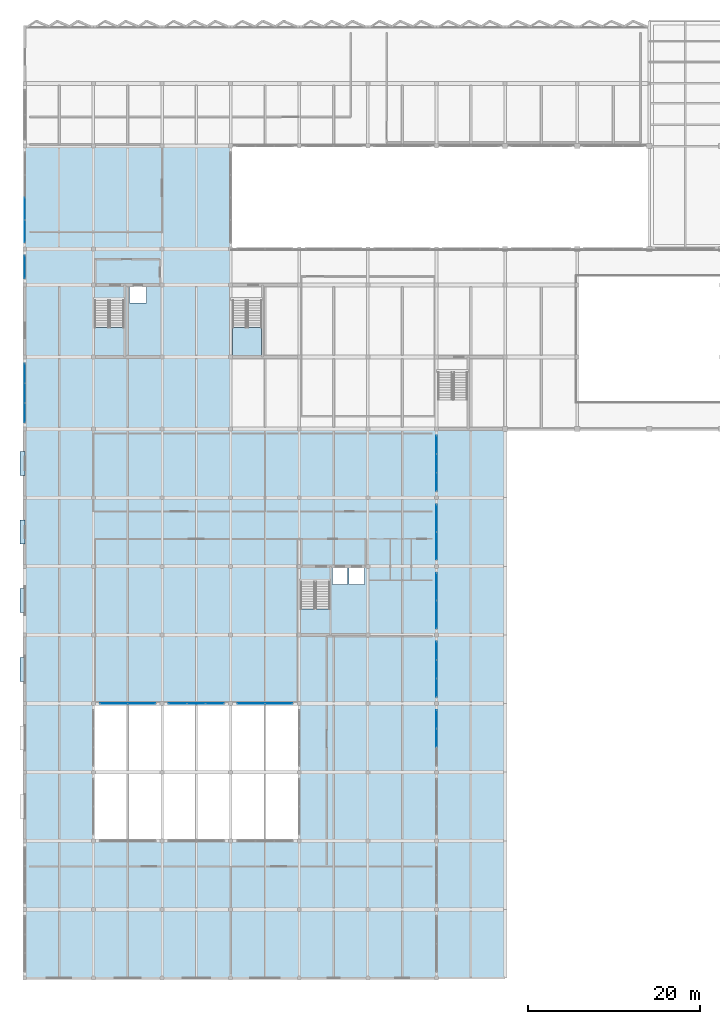
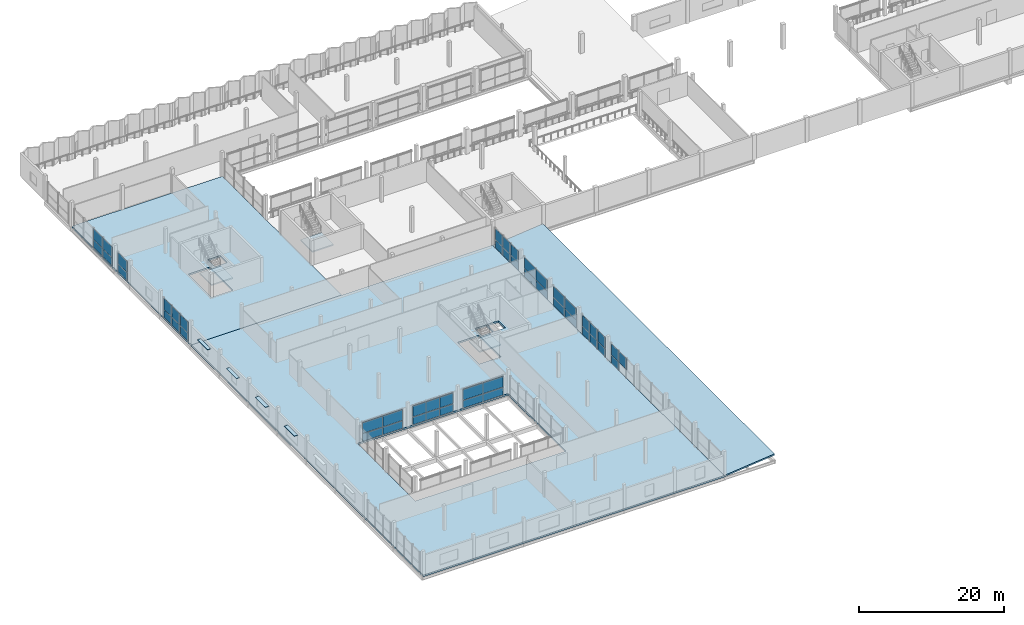
# One storey, part 33 of 53: 53 plates, 6 slabs, 14 elements without a shape of their own.
"""IFC4 building model written with IfcOpenShell, lengths in metres."""

from ifc_helpers import new_model, si_unit, direction, frame, origin, origin_2d, place, context, subcontext, project, spatial, polyline, rectangle, outline, extrude, material, layer, layer_set, type_object, element, aggregate, save


model = new_model("IFC4")

# Units and contexts
model_context = context("Model", 3, precision=1e-05, world=origin(), true_north=direction((0.0, 1.0)))
body_context = subcontext(model_context, "Body", "Model", "MODEL_VIEW")
ifc_project = project(units=[si_unit("LENGTHUNIT", "METRE"), si_unit("AREAUNIT", "SQUARE_METRE"), si_unit("VOLUMEUNIT", "CUBIC_METRE"), si_unit("PLANEANGLEUNIT", "RADIAN"), si_unit("MASSUNIT", "GRAM", prefix="KILO")], contexts=[model_context])

# Site, building, storey
site_placement = place(None, origin())
site = spatial("IfcSite", under=ifc_project, at=site_placement, CompositionType="ELEMENT")
building_placement = place(site_placement, origin())
building = spatial("IfcBuilding", under=site, at=building_placement, Name="Vharandega Faculty of Natural Sciences", CompositionType="ELEMENT")
storey_placement = place(building_placement, frame((0.0, 0.0, 10.199951171875)))
storey = spatial("IfcBuildingStorey", under=building, at=storey_placement, Name="L02", CompositionType="ELEMENT", Elevation=10.199951171875)

# Curtain wall, plates
ifc_material_1 = material(Name="Aluminium and solar-control glass curtain wall", Category="aluminium")
curtain_wall_type_1 = type_object("IfcCurtainWallType", Name="Unitised Curtain Wall System CW-25", PredefinedType="NOTDEFINED", material=ifc_material_1)
curtain_wall_1_placement = place(storey_placement, origin())
curtain_wall_1 = element("IfcCurtainWall", 1, at=curtain_wall_1_placement, inside=storey, type_object=curtain_wall_type_1, Name="Curtain Wall CW-L02-052", PredefinedType="NOTDEFINED")
ifc_material_2 = material(Name="Double-glazed low-E solar glass", Category="glass")
ifc_layer_1 = layer(ifc_material_2, 0.028076171875, Name="Double-glazed low-E solar glass")
ifc_layer_set_1 = layer_set([ifc_layer_1], Name="Double-glazed low-E solar glass")
plate_type_1 = type_object("IfcPlateType", Name="CW Solar Vision Panel 28mm", PredefinedType="CURTAIN_PANEL", material=ifc_layer_set_1)
plate_1_placement = place(storey_placement, frame((0.0, 65.908447265625, 0.06005859375), z_axis=(0.0, 0.0, 1.0), x_axis=(0.0, 1.0, 0.0)))
plate_1 = element("IfcPlate", 2, at=plate_1_placement, type_object=plate_type_1, Name="CW-25 panel 1.1", PredefinedType="CURTAIN_PANEL", context=body_context, shape_type="SweptSolid", body=[
    extrude(rectangle(XDim=2.216552734375, YDim=0.028076171875, at=origin_2d()), origin(), (0.0, 0.0, 1.0), 1.3212890625),
])
plate_2_placement = place(storey_placement, frame((0.0, 65.908447265625, 1.441162109375), z_axis=(0.0, 0.0, 1.0), x_axis=(0.0, 1.0, 0.0)))
plate_2 = element("IfcPlate", 3, at=plate_2_placement, type_object=plate_type_1, Name="CW-25 panel 1.2", PredefinedType="CURTAIN_PANEL", context=body_context, shape_type="SweptSolid", body=[
    extrude(rectangle(XDim=2.216552734375, YDim=0.028076171875, at=origin_2d()), origin(), (0.0, 0.0, 1.0), 1.85888671875),
])
plate_3_placement = place(storey_placement, frame((0.0, 68.199951171875, 0.06005859375), z_axis=(0.0, 0.0, 1.0), x_axis=(0.0, 1.0, 0.0)))
plate_3 = element("IfcPlate", 4, at=plate_3_placement, type_object=plate_type_1, Name="CW-25 panel 2.1", PredefinedType="CURTAIN_PANEL", context=body_context, shape_type="SweptSolid", body=[
    extrude(rectangle(XDim=2.24658203125, YDim=0.028076171875, at=origin_2d()), origin(), (0.0, 0.0, 1.0), 1.3212890625),
])
plate_4_placement = place(storey_placement, frame((0.0, 68.199951171875, 1.441162109375), z_axis=(0.0, 0.0, 1.0), x_axis=(0.0, 1.0, 0.0)))
plate_4 = element("IfcPlate", 5, at=plate_4_placement, type_object=plate_type_1, Name="CW-25 panel 2.2", PredefinedType="CURTAIN_PANEL", context=body_context, shape_type="SweptSolid", body=[
    extrude(rectangle(XDim=2.24658203125, YDim=0.028076171875, at=origin_2d()), origin(), (0.0, 0.0, 1.0), 1.85888671875),
])
plate_5_placement = place(storey_placement, frame((0.0, 70.49169921875, 0.06005859375), z_axis=(0.0, 0.0, 1.0), x_axis=(0.0, 1.0, 0.0)))
plate_5 = element("IfcPlate", 6, at=plate_5_placement, type_object=plate_type_1, Name="CW-25 panel 3.1", PredefinedType="CURTAIN_PANEL", context=body_context, shape_type="SweptSolid", body=[
    extrude(rectangle(XDim=2.216552734375, YDim=0.028076171875, at=origin_2d()), origin(), (0.0, 0.0, 1.0), 1.3212890625),
])
plate_6_placement = place(storey_placement, frame((0.0, 70.49169921875, 1.441162109375), z_axis=(0.0, 0.0, 1.0), x_axis=(0.0, 1.0, 0.0)))
plate_6 = element("IfcPlate", 7, at=plate_6_placement, type_object=plate_type_1, Name="CW-25 panel 3.2", PredefinedType="CURTAIN_PANEL", context=body_context, shape_type="SweptSolid", body=[
    extrude(rectangle(XDim=2.216552734375, YDim=0.028076171875, at=origin_2d()), origin(), (0.0, 0.0, 1.0), 1.85888671875),
])
aggregate(curtain_wall_1, [plate_1, plate_2, plate_3, plate_4, plate_5, plate_6])

ifc_material_3 = material(Name="Aluminium and solar-control glass curtain wall", Category="aluminium")
curtain_wall_type_2 = type_object("IfcCurtainWallType", Name="Unitised Curtain Wall System CW-26", PredefinedType="NOTDEFINED", material=ifc_material_3)
curtain_wall_2_placement = place(storey_placement, origin())
curtain_wall_2 = element("IfcCurtainWall", 8, at=curtain_wall_2_placement, inside=storey, type_object=curtain_wall_type_2, Name="Curtain Wall CW-L02-053", PredefinedType="NOTDEFINED")
plate_7_placement = place(storey_placement, frame((0.0, 82.89990234375, 0.06005859375), z_axis=(0.0, 0.0, 1.0), x_axis=(0.0, 1.0, 0.0)))
plate_7 = element("IfcPlate", 9, at=plate_7_placement, type_object=plate_type_1, Name="CW-26 panel 1.1", PredefinedType="CURTAIN_PANEL", context=body_context, shape_type="SweptSolid", body=[
    extrude(rectangle(XDim=2.60009765625, YDim=0.028076171875, at=origin_2d()), origin(), (0.0, 0.0, 1.0), 1.3212890625),
])
plate_8_placement = place(storey_placement, frame((0.0, 82.89990234375, 1.441162109375), z_axis=(0.0, 0.0, 1.0), x_axis=(0.0, 1.0, 0.0)))
plate_8 = element("IfcPlate", 10, at=plate_8_placement, type_object=plate_type_1, Name="CW-26 panel 1.2", PredefinedType="CURTAIN_PANEL", context=body_context, shape_type="SweptSolid", body=[
    extrude(rectangle(XDim=2.60009765625, YDim=0.028076171875, at=origin_2d()), origin(), (0.0, 0.0, 1.0), 1.85888671875),
])
aggregate(curtain_wall_2, [plate_7, plate_8])

ifc_material_4 = material(Name="Aluminium and solar-control glass curtain wall", Category="aluminium")
curtain_wall_type_3 = type_object("IfcCurtainWallType", Name="Unitised Curtain Wall System CW-27", PredefinedType="NOTDEFINED", material=ifc_material_4)
curtain_wall_3_placement = place(storey_placement, origin())
curtain_wall_3 = element("IfcCurtainWall", 11, at=curtain_wall_3_placement, inside=storey, type_object=curtain_wall_type_3, Name="Curtain Wall CW-L02-054", PredefinedType="NOTDEFINED")
plate_9_placement = place(storey_placement, frame((0.0, 87.070068359375, 0.06005859375), z_axis=(0.0, 0.0, 1.0), x_axis=(0.0, 1.0, 0.0)))
plate_9 = element("IfcPlate", 12, at=plate_9_placement, type_object=plate_type_1, Name="CW-27 panel 1.1", PredefinedType="CURTAIN_PANEL", context=body_context, shape_type="SweptSolid", body=[
    extrude(rectangle(XDim=2.5400390625, YDim=0.028076171875, at=origin_2d()), origin(), (0.0, 0.0, 1.0), 1.30029296875),
])
plate_10_placement = place(storey_placement, frame((0.0, 87.070068359375, 1.42041015625), z_axis=(0.0, 0.0, 1.0), x_axis=(0.0, 1.0, 0.0)))
plate_10 = element("IfcPlate", 13, at=plate_10_placement, type_object=plate_type_1, Name="CW-27 panel 1.2", PredefinedType="CURTAIN_PANEL", context=body_context, shape_type="SweptSolid", body=[
    extrude(rectangle(XDim=2.5400390625, YDim=0.028076171875, at=origin_2d()), origin(), (0.0, 0.0, 1.0), 1.829833984375),
])
plate_11_placement = place(storey_placement, frame((0.0, 89.68505859375, 0.06005859375), z_axis=(0.0, 0.0, 1.0), x_axis=(0.0, 1.0, 0.0)))
plate_11 = element("IfcPlate", 14, at=plate_11_placement, type_object=plate_type_1, Name="CW-27 panel 2.1", PredefinedType="CURTAIN_PANEL", context=body_context, shape_type="SweptSolid", body=[
    extrude(rectangle(XDim=2.570068359375, YDim=0.028076171875, at=origin_2d()), origin(), (0.0, 0.0, 1.0), 1.30029296875),
])
plate_12_placement = place(storey_placement, frame((0.0, 89.68505859375, 1.42041015625), z_axis=(0.0, 0.0, 1.0), x_axis=(0.0, 1.0, 0.0)))
plate_12 = element("IfcPlate", 15, at=plate_12_placement, type_object=plate_type_1, Name="CW-27 panel 2.2", PredefinedType="CURTAIN_PANEL", context=body_context, shape_type="SweptSolid", body=[
    extrude(rectangle(XDim=2.570068359375, YDim=0.028076171875, at=origin_2d()), origin(), (0.0, 0.0, 1.0), 1.829833984375),
])
aggregate(curtain_wall_3, [plate_9, plate_10, plate_11, plate_12])

curtain_wall_4_placement = place(storey_placement, origin())
curtain_wall_4 = element("IfcCurtainWall", 16, at=curtain_wall_4_placement, inside=storey, type_object=curtain_wall_type_1, Name="Curtain Wall CW-L02-136", PredefinedType="NOTDEFINED")
plate_13_placement = place(storey_placement, frame((48.0, 28.0, 1.441162109375), z_axis=(0.0, 0.0, 1.0), x_axis=(0.0, 1.0, 0.0)))
plate_13 = element("IfcPlate", 17, at=plate_13_placement, type_object=plate_type_1, Name="CW-25 panel 2.2", PredefinedType="CURTAIN_PANEL", context=body_context, shape_type="SweptSolid", body=[
    extrude(rectangle(XDim=2.11328125, YDim=0.028076171875, at=origin_2d()), origin(), (0.0, 0.0, 1.0), 1.85888671875),
])
plate_14_placement = place(storey_placement, frame((48.0, 30.158447265625, 0.06005859375), z_axis=(0.0, 0.0, 1.0), x_axis=(0.0, 1.0, 0.0)))
plate_14 = element("IfcPlate", 18, at=plate_14_placement, type_object=plate_type_1, Name="CW-25 panel 3.1", PredefinedType="CURTAIN_PANEL", context=body_context, shape_type="SweptSolid", body=[
    extrude(rectangle(XDim=2.083251953125, YDim=0.028076171875, at=origin_2d()), origin(), (0.0, 0.0, 1.0), 1.3212890625),
])
plate_15_placement = place(storey_placement, frame((48.0, 30.158447265625, 1.441162109375), z_axis=(0.0, 0.0, 1.0), x_axis=(0.0, 1.0, 0.0)))
plate_15 = element("IfcPlate", 19, at=plate_15_placement, type_object=plate_type_1, Name="CW-25 panel 3.2", PredefinedType="CURTAIN_PANEL", context=body_context, shape_type="SweptSolid", body=[
    extrude(rectangle(XDim=2.083251953125, YDim=0.028076171875, at=origin_2d()), origin(), (0.0, 0.0, 1.0), 1.85888671875),
])
aggregate(curtain_wall_4, [plate_13, plate_14, plate_15])

curtain_wall_5_placement = place(storey_placement, origin())
curtain_wall_5 = element("IfcCurtainWall", 20, at=curtain_wall_5_placement, inside=storey, type_object=curtain_wall_type_2, Name="Curtain Wall CW-L02-137", PredefinedType="NOTDEFINED")
plate_16_placement = place(storey_placement, frame((48.0, 33.841552734375, 0.06005859375), z_axis=(0.0, 0.0, 1.0), x_axis=(0.0, 1.0, 0.0)))
plate_16 = element("IfcPlate", 21, at=plate_16_placement, type_object=plate_type_1, Name="CW-26 panel 1.1", PredefinedType="CURTAIN_PANEL", context=body_context, shape_type="SweptSolid", body=[
    extrude(rectangle(XDim=2.083251953125, YDim=0.028076171875, at=origin_2d()), origin(), (0.0, 0.0, 1.0), 1.3212890625),
])
plate_17_placement = place(storey_placement, frame((48.0, 33.841552734375, 1.441162109375), z_axis=(0.0, 0.0, 1.0), x_axis=(0.0, 1.0, 0.0)))
plate_17 = element("IfcPlate", 22, at=plate_17_placement, type_object=plate_type_1, Name="CW-26 panel 1.2", PredefinedType="CURTAIN_PANEL", context=body_context, shape_type="SweptSolid", body=[
    extrude(rectangle(XDim=2.083251953125, YDim=0.028076171875, at=origin_2d()), origin(), (0.0, 0.0, 1.0), 1.85888671875),
])
plate_18_placement = place(storey_placement, frame((48.0, 36.0, 0.06005859375), z_axis=(0.0, 0.0, 1.0), x_axis=(0.0, 1.0, 0.0)))
plate_18 = element("IfcPlate", 23, at=plate_18_placement, type_object=plate_type_1, Name="CW-26 panel 2.1", PredefinedType="CURTAIN_PANEL", context=body_context, shape_type="SweptSolid", body=[
    extrude(rectangle(XDim=2.11328125, YDim=0.028076171875, at=origin_2d()), origin(), (0.0, 0.0, 1.0), 1.3212890625),
])
plate_19_placement = place(storey_placement, frame((48.0, 36.0, 1.441162109375), z_axis=(0.0, 0.0, 1.0), x_axis=(0.0, 1.0, 0.0)))
plate_19 = element("IfcPlate", 24, at=plate_19_placement, type_object=plate_type_1, Name="CW-26 panel 2.2", PredefinedType="CURTAIN_PANEL", context=body_context, shape_type="SweptSolid", body=[
    extrude(rectangle(XDim=2.11328125, YDim=0.028076171875, at=origin_2d()), origin(), (0.0, 0.0, 1.0), 1.85888671875),
])
plate_20_placement = place(storey_placement, frame((48.0, 38.158447265625, 0.06005859375), z_axis=(0.0, 0.0, 1.0), x_axis=(0.0, 1.0, 0.0)))
plate_20 = element("IfcPlate", 25, at=plate_20_placement, type_object=plate_type_1, Name="CW-26 panel 3.1", PredefinedType="CURTAIN_PANEL", context=body_context, shape_type="SweptSolid", body=[
    extrude(rectangle(XDim=2.083251953125, YDim=0.028076171875, at=origin_2d()), origin(), (0.0, 0.0, 1.0), 1.3212890625),
])
plate_21_placement = place(storey_placement, frame((48.0, 38.158447265625, 1.441162109375), z_axis=(0.0, 0.0, 1.0), x_axis=(0.0, 1.0, 0.0)))
plate_21 = element("IfcPlate", 26, at=plate_21_placement, type_object=plate_type_1, Name="CW-26 panel 3.2", PredefinedType="CURTAIN_PANEL", context=body_context, shape_type="SweptSolid", body=[
    extrude(rectangle(XDim=2.083251953125, YDim=0.028076171875, at=origin_2d()), origin(), (0.0, 0.0, 1.0), 1.85888671875),
])
aggregate(curtain_wall_5, [plate_16, plate_17, plate_18, plate_19, plate_20, plate_21])

curtain_wall_6_placement = place(storey_placement, origin())
curtain_wall_6 = element("IfcCurtainWall", 27, at=curtain_wall_6_placement, inside=storey, type_object=curtain_wall_type_3, Name="Curtain Wall CW-L02-138", PredefinedType="NOTDEFINED")
plate_22_placement = place(storey_placement, frame((48.0, 42.385009765625, 0.06005859375), z_axis=(0.0, 0.0, 1.0), x_axis=(0.0, 1.0, 0.0)))
plate_22 = element("IfcPlate", 28, at=plate_22_placement, type_object=plate_type_1, Name="CW-27 panel 1.1", PredefinedType="CURTAIN_PANEL", context=body_context, shape_type="SweptSolid", body=[
    extrude(rectangle(XDim=3.169921875, YDim=0.028076171875, at=origin_2d()), origin(), (0.0, 0.0, 1.0), 1.3212890625),
])
plate_23_placement = place(storey_placement, frame((48.0, 42.385009765625, 1.441162109375), z_axis=(0.0, 0.0, 1.0), x_axis=(0.0, 1.0, 0.0)))
plate_23 = element("IfcPlate", 29, at=plate_23_placement, type_object=plate_type_1, Name="CW-27 panel 1.2", PredefinedType="CURTAIN_PANEL", context=body_context, shape_type="SweptSolid", body=[
    extrude(rectangle(XDim=3.169921875, YDim=0.028076171875, at=origin_2d()), origin(), (0.0, 0.0, 1.0), 1.85888671875),
])
plate_24_placement = place(storey_placement, frame((48.0, 45.614990234375, 0.06005859375), z_axis=(0.0, 0.0, 1.0), x_axis=(0.0, 1.0, 0.0)))
plate_24 = element("IfcPlate", 30, at=plate_24_placement, type_object=plate_type_1, Name="CW-27 panel 2.1", PredefinedType="CURTAIN_PANEL", context=body_context, shape_type="SweptSolid", body=[
    extrude(rectangle(XDim=3.169921875, YDim=0.028076171875, at=origin_2d()), origin(), (0.0, 0.0, 1.0), 1.3212890625),
])
plate_25_placement = place(storey_placement, frame((48.0, 45.614990234375, 1.441162109375), z_axis=(0.0, 0.0, 1.0), x_axis=(0.0, 1.0, 0.0)))
plate_25 = element("IfcPlate", 31, at=plate_25_placement, type_object=plate_type_1, Name="CW-27 panel 2.2", PredefinedType="CURTAIN_PANEL", context=body_context, shape_type="SweptSolid", body=[
    extrude(rectangle(XDim=3.169921875, YDim=0.028076171875, at=origin_2d()), origin(), (0.0, 0.0, 1.0), 1.85888671875),
])
aggregate(curtain_wall_6, [plate_22, plate_23, plate_24, plate_25])

ifc_material_5 = material(Name="Aluminium and solar-control glass curtain wall", Category="aluminium")
curtain_wall_type_4 = type_object("IfcCurtainWallType", Name="Unitised Curtain Wall System CW-28", PredefinedType="NOTDEFINED", material=ifc_material_5)
curtain_wall_7_placement = place(storey_placement, origin())
curtain_wall_7 = element("IfcCurtainWall", 32, at=curtain_wall_7_placement, inside=storey, type_object=curtain_wall_type_4, Name="Curtain Wall CW-L02-139", PredefinedType="NOTDEFINED")
plate_26_placement = place(storey_placement, frame((48.0, 50.385009765625, 0.06005859375), z_axis=(0.0, 0.0, 1.0), x_axis=(0.0, 1.0, 0.0)))
plate_26 = element("IfcPlate", 33, at=plate_26_placement, type_object=plate_type_1, Name="CW-28 panel 1.1", PredefinedType="CURTAIN_PANEL", context=body_context, shape_type="SweptSolid", body=[
    extrude(rectangle(XDim=3.169921875, YDim=0.028076171875, at=origin_2d()), origin(), (0.0, 0.0, 1.0), 1.3212890625),
])
plate_27_placement = place(storey_placement, frame((48.0, 50.385009765625, 1.441162109375), z_axis=(0.0, 0.0, 1.0), x_axis=(0.0, 1.0, 0.0)))
plate_27 = element("IfcPlate", 34, at=plate_27_placement, type_object=plate_type_1, Name="CW-28 panel 1.2", PredefinedType="CURTAIN_PANEL", context=body_context, shape_type="SweptSolid", body=[
    extrude(rectangle(XDim=3.169921875, YDim=0.028076171875, at=origin_2d()), origin(), (0.0, 0.0, 1.0), 1.85888671875),
])
plate_28_placement = place(storey_placement, frame((48.0, 53.614990234375, 0.06005859375), z_axis=(0.0, 0.0, 1.0), x_axis=(0.0, 1.0, 0.0)))
plate_28 = element("IfcPlate", 35, at=plate_28_placement, type_object=plate_type_1, Name="CW-28 panel 2.1", PredefinedType="CURTAIN_PANEL", context=body_context, shape_type="SweptSolid", body=[
    extrude(rectangle(XDim=3.169921875, YDim=0.028076171875, at=origin_2d()), origin(), (0.0, 0.0, 1.0), 1.3212890625),
])
plate_29_placement = place(storey_placement, frame((48.0, 53.614990234375, 1.441162109375), z_axis=(0.0, 0.0, 1.0), x_axis=(0.0, 1.0, 0.0)))
plate_29 = element("IfcPlate", 36, at=plate_29_placement, type_object=plate_type_1, Name="CW-28 panel 2.2", PredefinedType="CURTAIN_PANEL", context=body_context, shape_type="SweptSolid", body=[
    extrude(rectangle(XDim=3.169921875, YDim=0.028076171875, at=origin_2d()), origin(), (0.0, 0.0, 1.0), 1.85888671875),
])
aggregate(curtain_wall_7, [plate_26, plate_27, plate_28, plate_29])

ifc_material_6 = material(Name="Aluminium and solar-control glass curtain wall", Category="aluminium")
curtain_wall_type_5 = type_object("IfcCurtainWallType", Name="Unitised Curtain Wall System CW-01", PredefinedType="NOTDEFINED", material=ifc_material_6)
curtain_wall_8_placement = place(storey_placement, origin())
curtain_wall_8 = element("IfcCurtainWall", 37, at=curtain_wall_8_placement, inside=storey, type_object=curtain_wall_type_5, Name="Curtain Wall CW-L02-140", PredefinedType="NOTDEFINED")
plate_30_placement = place(storey_placement, frame((48.0, 57.841552734375, 0.06005859375), z_axis=(0.0, 0.0, 1.0), x_axis=(0.0, 1.0, 0.0)))
plate_30 = element("IfcPlate", 38, at=plate_30_placement, type_object=plate_type_1, Name="CW-01 panel 1.1", PredefinedType="CURTAIN_PANEL", context=body_context, shape_type="SweptSolid", body=[
    extrude(rectangle(XDim=2.083251953125, YDim=0.028076171875, at=origin_2d()), origin(), (0.0, 0.0, 1.0), 1.3212890625),
])
plate_31_placement = place(storey_placement, frame((48.0, 57.841552734375, 1.441162109375), z_axis=(0.0, 0.0, 1.0), x_axis=(0.0, 1.0, 0.0)))
plate_31 = element("IfcPlate", 39, at=plate_31_placement, type_object=plate_type_1, Name="CW-01 panel 1.2", PredefinedType="CURTAIN_PANEL", context=body_context, shape_type="SweptSolid", body=[
    extrude(rectangle(XDim=2.083251953125, YDim=0.028076171875, at=origin_2d()), origin(), (0.0, 0.0, 1.0), 1.85888671875),
])
plate_32_placement = place(storey_placement, frame((48.0, 60.0, 0.06005859375), z_axis=(0.0, 0.0, 1.0), x_axis=(0.0, 1.0, 0.0)))
plate_32 = element("IfcPlate", 40, at=plate_32_placement, type_object=plate_type_1, Name="CW-01 panel 2.1", PredefinedType="CURTAIN_PANEL", context=body_context, shape_type="SweptSolid", body=[
    extrude(rectangle(XDim=2.11328125, YDim=0.028076171875, at=origin_2d()), origin(), (0.0, 0.0, 1.0), 1.3212890625),
])
plate_33_placement = place(storey_placement, frame((48.0, 60.0, 1.441162109375), z_axis=(0.0, 0.0, 1.0), x_axis=(0.0, 1.0, 0.0)))
plate_33 = element("IfcPlate", 41, at=plate_33_placement, type_object=plate_type_1, Name="CW-01 panel 2.2", PredefinedType="CURTAIN_PANEL", context=body_context, shape_type="SweptSolid", body=[
    extrude(rectangle(XDim=2.11328125, YDim=0.028076171875, at=origin_2d()), origin(), (0.0, 0.0, 1.0), 1.85888671875),
])
plate_34_placement = place(storey_placement, frame((48.0, 62.158447265625, 0.06005859375), z_axis=(0.0, 0.0, 1.0), x_axis=(0.0, 1.0, 0.0)))
plate_34 = element("IfcPlate", 42, at=plate_34_placement, type_object=plate_type_1, Name="CW-01 panel 3.1", PredefinedType="CURTAIN_PANEL", context=body_context, shape_type="SweptSolid", body=[
    extrude(rectangle(XDim=2.083251953125, YDim=0.028076171875, at=origin_2d()), origin(), (0.0, 0.0, 1.0), 1.3212890625),
])
plate_35_placement = place(storey_placement, frame((48.0, 62.158447265625, 1.441162109375), z_axis=(0.0, 0.0, 1.0), x_axis=(0.0, 1.0, 0.0)))
plate_35 = element("IfcPlate", 43, at=plate_35_placement, type_object=plate_type_1, Name="CW-01 panel 3.2", PredefinedType="CURTAIN_PANEL", context=body_context, shape_type="SweptSolid", body=[
    extrude(rectangle(XDim=2.083251953125, YDim=0.028076171875, at=origin_2d()), origin(), (0.0, 0.0, 1.0), 1.85888671875),
])
aggregate(curtain_wall_8, [plate_30, plate_31, plate_32, plate_33, plate_34, plate_35])

ifc_material_7 = material(Name="Aluminium and solar-control glass curtain wall", Category="aluminium")
curtain_wall_type_6 = type_object("IfcCurtainWallType", Name="Unitised Curtain Wall System CW-03", PredefinedType="NOTDEFINED", material=ifc_material_7)
curtain_wall_9_placement = place(storey_placement, origin())
curtain_wall_9 = element("IfcCurtainWall", 44, at=curtain_wall_9_placement, inside=storey, type_object=curtain_wall_type_6, Name="Curtain Wall CW-L02-142", PredefinedType="NOTDEFINED")
plate_36_placement = place(storey_placement, frame((10.385009765625, 32.0, 0.06005859375), z_axis=(0.0, 0.0, 1.0), x_axis=(1.0, 0.0, 0.0)))
plate_36 = element("IfcPlate", 45, at=plate_36_placement, type_object=plate_type_1, Name="CW-03 panel 1.1", PredefinedType="CURTAIN_PANEL", context=body_context, shape_type="SweptSolid", body=[
    extrude(rectangle(XDim=3.169921875, YDim=0.028076171875, at=origin_2d()), origin(), (0.0, 0.0, 1.0), 1.28759765625),
])
plate_37_placement = place(storey_placement, frame((10.385009765625, 32.0, 1.40771484375), z_axis=(0.0, 0.0, 1.0), x_axis=(1.0, 0.0, 0.0)))
plate_37 = element("IfcPlate", 46, at=plate_37_placement, type_object=plate_type_1, Name="CW-03 panel 1.2", PredefinedType="CURTAIN_PANEL", context=body_context, shape_type="SweptSolid", body=[
    extrude(rectangle(XDim=3.169921875, YDim=0.028076171875, at=origin_2d()), origin(), (0.0, 0.0, 1.0), 1.8125),
])
plate_38_placement = place(storey_placement, frame((13.614990234375, 32.0, 0.06005859375), z_axis=(0.0, 0.0, 1.0), x_axis=(1.0, 0.0, 0.0)))
plate_38 = element("IfcPlate", 47, at=plate_38_placement, type_object=plate_type_1, Name="CW-03 panel 2.1", PredefinedType="CURTAIN_PANEL", context=body_context, shape_type="SweptSolid", body=[
    extrude(rectangle(XDim=3.169921875, YDim=0.028076171875, at=origin_2d()), origin(), (0.0, 0.0, 1.0), 1.28759765625),
])
plate_39_placement = place(storey_placement, frame((13.614990234375, 32.0, 1.40771484375), z_axis=(0.0, 0.0, 1.0), x_axis=(1.0, 0.0, 0.0)))
plate_39 = element("IfcPlate", 48, at=plate_39_placement, type_object=plate_type_1, Name="CW-03 panel 2.2", PredefinedType="CURTAIN_PANEL", context=body_context, shape_type="SweptSolid", body=[
    extrude(rectangle(XDim=3.169921875, YDim=0.028076171875, at=origin_2d()), origin(), (0.0, 0.0, 1.0), 1.8125),
])
aggregate(curtain_wall_9, [plate_36, plate_37, plate_38, plate_39])

ifc_material_8 = material(Name="Aluminium and solar-control glass curtain wall", Category="aluminium")
curtain_wall_type_7 = type_object("IfcCurtainWallType", Name="Unitised Curtain Wall System CW-05", PredefinedType="NOTDEFINED", material=ifc_material_8)
curtain_wall_10_placement = place(storey_placement, origin())
curtain_wall_10 = element("IfcCurtainWall", 49, at=curtain_wall_10_placement, inside=storey, type_object=curtain_wall_type_7, Name="Curtain Wall CW-L02-144", PredefinedType="NOTDEFINED")
plate_40_placement = place(storey_placement, frame((17.841552734375, 32.0, 0.06005859375), z_axis=(0.0, 0.0, 1.0), x_axis=(1.0, 0.0, 0.0)))
plate_40 = element("IfcPlate", 50, at=plate_40_placement, type_object=plate_type_1, Name="CW-05 panel 1.1", PredefinedType="CURTAIN_PANEL", context=body_context, shape_type="SweptSolid", body=[
    extrude(rectangle(XDim=2.083251953125, YDim=0.028076171875, at=origin_2d()), origin(), (0.0, 0.0, 1.0), 1.28759765625),
])
plate_41_placement = place(storey_placement, frame((17.841552734375, 32.0, 1.40771484375), z_axis=(0.0, 0.0, 1.0), x_axis=(1.0, 0.0, 0.0)))
plate_41 = element("IfcPlate", 51, at=plate_41_placement, type_object=plate_type_1, Name="CW-05 panel 1.2", PredefinedType="CURTAIN_PANEL", context=body_context, shape_type="SweptSolid", body=[
    extrude(rectangle(XDim=2.083251953125, YDim=0.028076171875, at=origin_2d()), origin(), (0.0, 0.0, 1.0), 1.8125),
])
plate_42_placement = place(storey_placement, frame((20.0, 32.0, 0.06005859375), z_axis=(0.0, 0.0, 1.0), x_axis=(1.0, 0.0, 0.0)))
plate_42 = element("IfcPlate", 52, at=plate_42_placement, type_object=plate_type_1, Name="CW-05 panel 2.1", PredefinedType="CURTAIN_PANEL", context=body_context, shape_type="SweptSolid", body=[
    extrude(rectangle(XDim=2.11328125, YDim=0.028076171875, at=origin_2d()), origin(), (0.0, 0.0, 1.0), 1.28759765625),
])
plate_43_placement = place(storey_placement, frame((20.0, 32.0, 1.40771484375), z_axis=(0.0, 0.0, 1.0), x_axis=(1.0, 0.0, 0.0)))
plate_43 = element("IfcPlate", 53, at=plate_43_placement, type_object=plate_type_1, Name="CW-05 panel 2.2", PredefinedType="CURTAIN_PANEL", context=body_context, shape_type="SweptSolid", body=[
    extrude(rectangle(XDim=2.11328125, YDim=0.028076171875, at=origin_2d()), origin(), (0.0, 0.0, 1.0), 1.8125),
])
plate_44_placement = place(storey_placement, frame((22.158447265625, 32.0, 0.06005859375), z_axis=(0.0, 0.0, 1.0), x_axis=(1.0, 0.0, 0.0)))
plate_44 = element("IfcPlate", 54, at=plate_44_placement, type_object=plate_type_1, Name="CW-05 panel 3.1", PredefinedType="CURTAIN_PANEL", context=body_context, shape_type="SweptSolid", body=[
    extrude(rectangle(XDim=2.083251953125, YDim=0.028076171875, at=origin_2d()), origin(), (0.0, 0.0, 1.0), 1.28759765625),
])
plate_45_placement = place(storey_placement, frame((22.158447265625, 32.0, 1.40771484375), z_axis=(0.0, 0.0, 1.0), x_axis=(1.0, 0.0, 0.0)))
plate_45 = element("IfcPlate", 55, at=plate_45_placement, type_object=plate_type_1, Name="CW-05 panel 3.2", PredefinedType="CURTAIN_PANEL", context=body_context, shape_type="SweptSolid", body=[
    extrude(rectangle(XDim=2.083251953125, YDim=0.028076171875, at=origin_2d()), origin(), (0.0, 0.0, 1.0), 1.8125),
])
aggregate(curtain_wall_10, [plate_40, plate_41, plate_42, plate_43, plate_44, plate_45])

ifc_material_9 = material(Name="Aluminium and solar-control glass curtain wall", Category="aluminium")
curtain_wall_type_8 = type_object("IfcCurtainWallType", Name="Unitised Curtain Wall System CW-07", PredefinedType="NOTDEFINED", material=ifc_material_9)
curtain_wall_11_placement = place(storey_placement, origin())
curtain_wall_11 = element("IfcCurtainWall", 56, at=curtain_wall_11_placement, inside=storey, type_object=curtain_wall_type_8, Name="Curtain Wall CW-L02-146", PredefinedType="NOTDEFINED")
plate_46_placement = place(storey_placement, frame((26.385009765625, 32.0, 0.06005859375), z_axis=(0.0, 0.0, 1.0), x_axis=(1.0, 0.0, 0.0)))
plate_46 = element("IfcPlate", 57, at=plate_46_placement, type_object=plate_type_1, Name="CW-07 panel 1.1", PredefinedType="CURTAIN_PANEL", context=body_context, shape_type="SweptSolid", body=[
    extrude(rectangle(XDim=3.169921875, YDim=0.028076171875, at=origin_2d()), origin(), (0.0, 0.0, 1.0), 1.28759765625),
])
plate_47_placement = place(storey_placement, frame((26.385009765625, 32.0, 1.40771484375), z_axis=(0.0, 0.0, 1.0), x_axis=(1.0, 0.0, 0.0)))
plate_47 = element("IfcPlate", 58, at=plate_47_placement, type_object=plate_type_1, Name="CW-07 panel 1.2", PredefinedType="CURTAIN_PANEL", context=body_context, shape_type="SweptSolid", body=[
    extrude(rectangle(XDim=3.169921875, YDim=0.028076171875, at=origin_2d()), origin(), (0.0, 0.0, 1.0), 1.8125),
])
plate_48_placement = place(storey_placement, frame((29.614990234375, 32.0, 0.06005859375), z_axis=(0.0, 0.0, 1.0), x_axis=(1.0, 0.0, 0.0)))
plate_48 = element("IfcPlate", 59, at=plate_48_placement, type_object=plate_type_1, Name="CW-07 panel 2.1", PredefinedType="CURTAIN_PANEL", context=body_context, shape_type="SweptSolid", body=[
    extrude(rectangle(XDim=3.169921875, YDim=0.028076171875, at=origin_2d()), origin(), (0.0, 0.0, 1.0), 1.28759765625),
])
plate_49_placement = place(storey_placement, frame((29.614990234375, 32.0, 1.40771484375), z_axis=(0.0, 0.0, 1.0), x_axis=(1.0, 0.0, 0.0)))
plate_49 = element("IfcPlate", 60, at=plate_49_placement, type_object=plate_type_1, Name="CW-07 panel 2.2", PredefinedType="CURTAIN_PANEL", context=body_context, shape_type="SweptSolid", body=[
    extrude(rectangle(XDim=3.169921875, YDim=0.028076171875, at=origin_2d()), origin(), (0.0, 0.0, 1.0), 1.8125),
])
aggregate(curtain_wall_11, [plate_46, plate_47, plate_48, plate_49])

# Plates
ifc_material_10 = material(Name="Aluminium solar hood sheet", Category="aluminium")
ifc_layer_2 = layer(ifc_material_10, 0.0400390625, Name="Aluminium solar hood sheet")
ifc_layer_set_2 = layer_set([ifc_layer_2], Name="Aluminium solar hood sheet")
plate_type_2 = type_object("IfcPlateType", Name="North Solar Hood Sheet Plate 40", PredefinedType="SHEET", material=ifc_layer_set_2)
for number, where, z_axis, x_axis, name in (
    (61, (-0.280029296875, 36.0, 2.60009765625), (0.0, 0.0, 1.0), (1.0, 0.0, 0.0), "Solar Shading Hood L02 E"),
    (62, (-0.280029296875, 44.0, 2.60009765625), (0.0, 0.0, 1.0), (1.0, 0.0, 0.0), "Solar Shading Hood L02 F"),
    (63, (-0.280029296875, 52.0, 2.60009765625), (0.0, 0.0, 1.0), (1.0, 0.0, 0.0), "Solar Shading Hood L02 G"),
    (64, (-0.280029296875, 60.0, 2.60009765625), (0.0, 0.0, 1.0), (1.0, 0.0, 0.0), "Solar Shading Hood L02 H"),
):
    element("IfcPlate", number, at=place(storey_placement, frame(where, z_axis=z_axis, x_axis=x_axis)), inside=storey, type_object=plate_type_2, Name=name, PredefinedType="SHEET", context=body_context, shape_type="SweptSolid", body=[
        extrude(rectangle(XDim=0.56005859375, YDim=2.800048828125, at=origin_2d()), origin(), (0.0, 0.0, 1.0), 0.0400390625),
    ])

# Slabs
ifc_material_11 = material(Name="Cross-laminated timber CLT7-240", Category="wood")
ifc_layer_3 = layer(ifc_material_11, 0.239990234375, Name="Cross-laminated timber CLT7-240")
ifc_layer_set_3 = layer_set([ifc_layer_3], Name="Cross-laminated timber CLT7-240")
slab_type_1 = type_object("IfcSlabType", Name="ROOF-PITCHED-240", PredefinedType="ROOF", material=ifc_layer_set_3)
slab_1_placement = place(storey_placement, frame((48.0, 0.0, 0.0), z_axis=(-0.104526794788, 0.0, 0.994522070731), x_axis=(0.994522070731, 0.0, 0.104526794788)))
element("IfcSlab", 65, at=slab_1_placement, inside=storey, type_object=slab_type_1, Name="L02 V5 Pitched Roof Slab", PredefinedType="ROOF", context=body_context, shape_type="SweptSolid", body=[
    extrude(outline(polyline([(0.0, 0.0), (8.04406481810736, 0.0), (8.04406481810736, 64.0), (0.0, 64.0), (0.0, 0.0)])), origin(), (0.0, 0.0, -1.0), 0.239990234375),
])
ifc_material_12 = material(Name="Concrete C40/50", Category="concrete")
ifc_layer_4 = layer(ifc_material_12, 0.260009765625, Name="Concrete C40/50")
ifc_layer_set_4 = layer_set([ifc_layer_4], Name="Concrete C40/50")
slab_type_2 = type_object("IfcSlabType", Name="SLAB-RC-260", PredefinedType="FLOOR", material=ifc_layer_set_4)
slab_2_placement = place(storey_placement, frame((0.0, 0.0, -0.260009765625)))
element("IfcSlab", 66, at=slab_2_placement, inside=storey, type_object=slab_type_2, Name="L02 V2 Floor Slab", PredefinedType="FLOOR", context=body_context, shape_type="SweptSolid", body=[
    extrude(outline(polyline([(0.0, 64.0), (24.0, 64.0), (24.0, 97.0), (0.0, 97.0), (0.0, 64.0)]), holes=[polyline([(8.139892578125, 78.945068359375), (8.139892578125, 72.5400390625), (11.56005859375, 72.5400390625), (11.56005859375, 78.945068359375), (8.139892578125, 78.945068359375)]), polyline([(12.199951171875, 78.699951171875), (14.199951171875, 78.699951171875), (14.199951171875, 80.6201171875), (12.199951171875, 80.6201171875), (12.199951171875, 78.699951171875)])]), origin(), (0.0, 0.0, 1.0), 0.260009765625),
])
ifc_material_13 = material(Name="Concrete C40/50", Category="concrete")
ifc_layer_5 = layer(ifc_material_13, 0.280029296875, Name="Concrete C40/50")
ifc_layer_set_5 = layer_set([ifc_layer_5], Name="Concrete C40/50")
slab_type_3 = type_object("IfcSlabType", Name="SLAB-RC-280", PredefinedType="FLOOR", material=ifc_layer_set_5)
slab_3_placement = place(storey_placement, frame((0.0, 0.0, -0.280029296875)))
element("IfcSlab", 67, at=slab_3_placement, inside=storey, type_object=slab_type_3, Name="L02 V5 Floor Slab", PredefinedType="FLOOR", context=body_context, shape_type="SweptSolid", body=[
    extrude(outline(polyline([(0.0, 0.0), (48.0, 0.0), (48.0, 64.0), (0.0, 64.0), (0.0, 0.0)]), holes=[polyline([(8.0, 16.0), (32.0, 16.0), (32.0, 32.0), (8.0, 32.0), (8.0, 16.0)]), polyline([(32.139892578125, 46.14501953125), (32.139892578125, 40.139892578125), (35.56005859375, 40.139892578125), (35.56005859375, 46.14501953125), (32.139892578125, 46.14501953125)]), polyline([(35.85009765625, 45.89990234375), (37.64990234375, 45.89990234375), (37.64990234375, 47.820068359375), (35.85009765625, 47.820068359375), (35.85009765625, 45.89990234375)]), polyline([(37.800048828125, 45.89990234375), (39.60009765625, 45.89990234375), (39.60009765625, 47.820068359375), (37.800048828125, 47.820068359375), (37.800048828125, 45.89990234375)])]), origin(), (0.0, 0.0, 1.0), 0.280029296875),
])

# Stair, slab
ifc_material_14 = material(Name="Concrete C40/50", Category="concrete")
stair_type = type_object("IfcStairType", Name="Escape Dog-Leg Stair W165 H420", PredefinedType="HALF_TURN_STAIR", material=ifc_material_14)
stair_1_placement = place(storey_placement, origin())
stair_1 = element("IfcStair", 68, at=stair_1_placement, inside=storey, type_object=stair_type, Name="L02 Escape Stair ST3", PredefinedType="HALF_TURN_STAIR")
ifc_material_15 = material(Name="Concrete C40/50", Category="concrete")
ifc_layer_6 = layer(ifc_material_15, 0.199951171875, Name="Concrete C40/50")
ifc_layer_set_6 = layer_set([ifc_layer_6], Name="Concrete C40/50")
slab_type_4 = type_object("IfcSlabType", Name="Stair Half-Landing Slab 200", PredefinedType="LANDING", material=ifc_layer_set_6)
slab_4_placement = place(storey_placement, frame((0.0, 0.0, 1.900146484375)))
slab_4 = element("IfcSlab", 69, at=slab_4_placement, type_object=slab_type_4, Name="ST3 landing 1", PredefinedType="LANDING", context=body_context, shape_type="SweptSolid", body=[
    extrude(outline(polyline([(32.139892578125, 43.02001953125), (32.139892578125, 40.139892578125), (35.56005859375, 40.139892578125), (35.56005859375, 43.02001953125), (32.139892578125, 43.02001953125)])), origin(), (0.0, 0.0, 1.0), 0.199951171875),
])
aggregate(stair_1, [slab_4])

stair_2_placement = place(storey_placement, origin())
stair_2 = element("IfcStair", 70, at=stair_2_placement, inside=storey, type_object=stair_type, Name="L02 Escape Stair ST4", PredefinedType="HALF_TURN_STAIR")
slab_5_placement = place(storey_placement, frame((0.0, 0.0, 1.900146484375)))
slab_5 = element("IfcSlab", 71, at=slab_5_placement, type_object=slab_type_4, Name="ST4 landing 1", PredefinedType="LANDING", context=body_context, shape_type="SweptSolid", body=[
    extrude(outline(polyline([(8.139892578125, 75.820068359375), (8.139892578125, 72.5400390625), (11.56005859375, 72.5400390625), (11.56005859375, 75.820068359375), (8.139892578125, 75.820068359375)])), origin(), (0.0, 0.0, 1.0), 0.199951171875),
])
aggregate(stair_2, [slab_5])

stair_3_placement = place(storey_placement, origin())
stair_3 = element("IfcStair", 72, at=stair_3_placement, inside=storey, type_object=stair_type, Name="L02 Escape Stair ST6", PredefinedType="HALF_TURN_STAIR")
slab_6_placement = place(storey_placement, frame((0.0, 0.0, 1.900146484375)))
slab_6 = element("IfcSlab", 73, at=slab_6_placement, type_object=slab_type_4, Name="ST6 landing 1", PredefinedType="LANDING", context=body_context, shape_type="SweptSolid", body=[
    extrude(outline(polyline([(24.199951171875, 75.820068359375), (24.199951171875, 72.5400390625), (27.6201171875, 72.5400390625), (27.6201171875, 75.820068359375), (24.199951171875, 75.820068359375)])), origin(), (0.0, 0.0, 1.0), 0.199951171875),
])
aggregate(stair_3, [slab_6])

save(model, "model.ifc")
